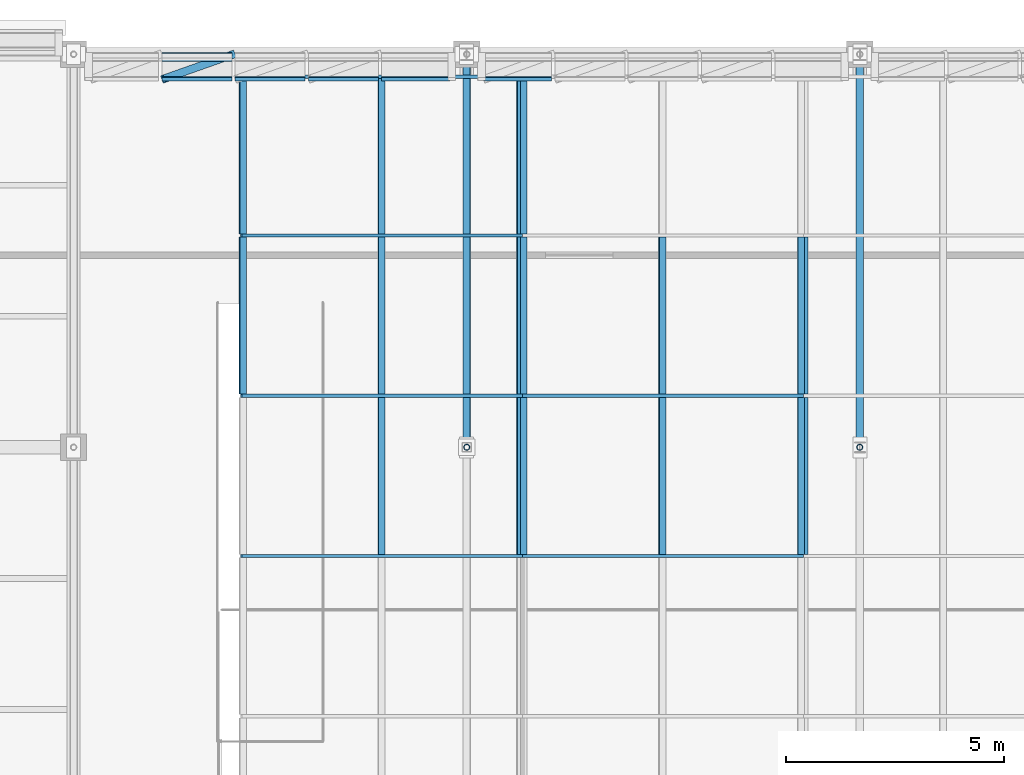
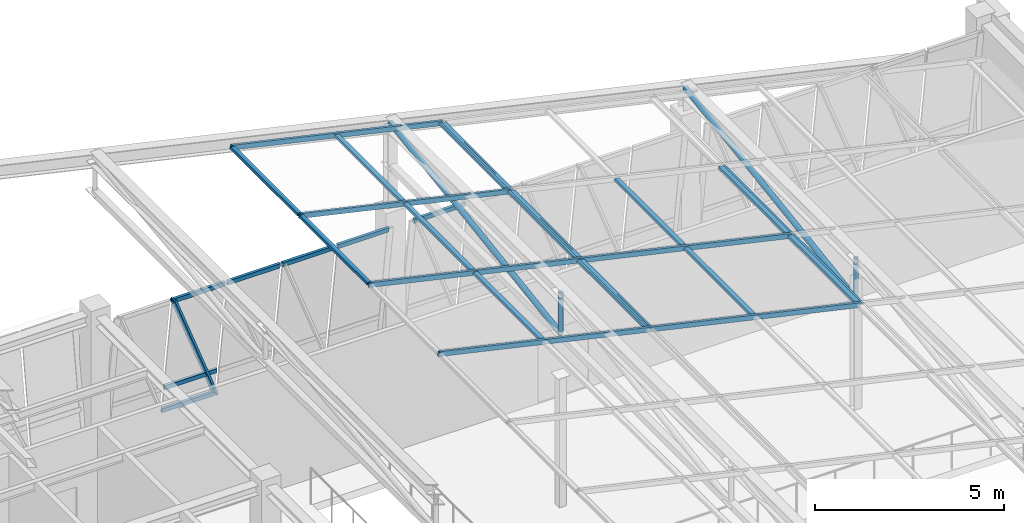
# One storey, part 77 of 130: 35 members, 5 elements without a shape of their own.
"""IFC4 building model written with IfcOpenShell, lengths in metres."""

from ifc_helpers import new_model, si_unit, direction, frame, origin, origin_2d, place, context, subcontext, project, spatial, hollow_rectangle, hollow_circle, extrude, material, material_profile, profile_set, type_object, element, aggregate, save


model = new_model("IFC4")

# Units and contexts
model_context = context("Model", 3, precision=1e-05, world=origin(), true_north=direction((0.0, 1.0)))
body_context = subcontext(model_context, "Body", "Model", "MODEL_VIEW")
ifc_project = project(units=[si_unit("LENGTHUNIT", "METRE"), si_unit("AREAUNIT", "SQUARE_METRE"), si_unit("VOLUMEUNIT", "CUBIC_METRE"), si_unit("PLANEANGLEUNIT", "RADIAN"), si_unit("MASSUNIT", "GRAM", prefix="KILO")], contexts=[model_context])

# Site, building, storey
site_placement = place(None, origin())
site = spatial("IfcSite", under=ifc_project, at=site_placement, CompositionType="ELEMENT")
building_placement = place(site_placement, origin())
building = spatial("IfcBuilding", under=site, at=building_placement, Name="Lykobir Media Centre", CompositionType="ELEMENT")
storey_placement = place(building_placement, frame((0.0, 0.0, 19.199951171875)))
storey = spatial("IfcBuildingStorey", under=building, at=storey_placement, Name="L04", CompositionType="ELEMENT", Elevation=19.199951171875)

# Members
ifc_material_1 = material(Name="Steel S355", Category="steel")
ifc_material_profile_1 = material_profile(ifc_material_1, hollow_circle(Radius=0.06982421875, WallThickness=0.008056640625, at=origin_2d()), Name="CHS 139.7x8.0")
ifc_profile_set_1 = profile_set([ifc_material_profile_1], Name="Steel S355")
member_type_1 = type_object("IfcMemberType", Name="BR-CHS140", PredefinedType="BRACE", material=ifc_profile_set_1)
for number, where, z_axis, x_axis, name in (
    (1, (54.0, 99.0, 6.860107421875), (0.0, 0.0, -1.0), (1.0, 0.0, 0.0), "Diagonal brace MEM2-L04-0540-0990-0261-0540-0990-0467"),
    (2, (63.0, 99.0, 4.820068359375), (0.0, 0.0, -1.0), (1.0, 0.0, 0.0), "Diagonal brace MEM2-L04-0630-0990-0240-0630-0990-0480"),
):
    element("IfcMember", number, at=place(storey_placement, frame(where, z_axis=z_axis, x_axis=x_axis)), inside=storey, type_object=member_type_1, Name=name, PredefinedType="BRACE", context=body_context, shape_type="SweptSolid", body=[
        extrude(hollow_circle(Radius=0.06982421875, WallThickness=0.008056640625, at=origin_2d()), origin(), (0.0, 0.0, 1.0), 1.35009765625),
    ])
ifc_material_profile_2 = material_profile(ifc_material_1, hollow_circle(Radius=0.084228515625, WallThickness=0.010009765625, at=origin_2d()), Name="CHS 168.3x10.0")
ifc_profile_set_2 = profile_set([ifc_material_profile_2], Name="Steel S355")
member_type_2 = type_object("IfcMemberType", Name="BR-CHS168", PredefinedType="BRACE", material=ifc_profile_set_2)
for number, where, z_axis, x_axis, name in (
    (3, (54.0, 99.0, 5.510009765625), (0.0, 0.988934778637, 0.148350947425), (-1.0, 0.0, 0.0), "Diagonal brace MEM2-L04-0540-0990-0247-0540-1080-0468"),
    (4, (63.0, 99.0, 3.469970703125), (0.0, 0.988934778637, 0.148350947425), (-1.0, 0.0, 0.0), "Diagonal brace MEM2-L04-0630-0990-0227-0630-1080-0481"),
):
    element("IfcMember", number, at=place(storey_placement, frame(where, z_axis=z_axis, x_axis=x_axis)), inside=storey, type_object=member_type_2, Name=name, PredefinedType="BRACE", context=body_context, shape_type="SweptSolid", body=[
        extrude(hollow_circle(Radius=0.084228515625, WallThickness=0.010009765625, at=origin_2d()), origin(), (0.0, 0.0, 1.0), 9.1005859375),
    ])

# Curtain wall, members
ifc_material_2 = material(Name="Anodized Aluminium AW-6060", Category="aluminium")
curtain_wall_type_1 = type_object("IfcCurtainWallType", Name="CW-V6-CR4", PredefinedType="NOTDEFINED", material=ifc_material_2)
curtain_wall_1_placement = place(storey_placement, origin())
curtain_wall_1 = element("IfcCurtainWall", 5, at=curtain_wall_1_placement, inside=storey, type_object=curtain_wall_type_1, Name="Curtain wall CW2-L04-0164", PredefinedType="NOTDEFINED")
ifc_material_profile_3 = material_profile(ifc_material_2, hollow_rectangle(XDim=0.074951171875, YDim=0.179931640625, WallThickness=0.00390625, at=origin_2d()), Name="ALU MULLION 75x180")
ifc_profile_set_3 = profile_set([ifc_material_profile_3], Name="Anodized Aluminium AW-6060")
member_type_3 = type_object("IfcMemberType", Name="CWM-180", PredefinedType="MULLION", material=ifc_profile_set_3)
member_1_placement = place(storey_placement, frame((48.660888671875, 108.0, 0.0), z_axis=(-0.374579600655, -0.132271466696, 0.917711491631), x_axis=(0.865344548286, 0.305570277716, 0.397247552703)))
member_1 = element("IfcMember", 6, at=member_1_placement, type_object=member_type_3, Name="CW2-L04-0164 mullion 3", PredefinedType="MULLION", context=body_context, shape_type="SweptSolid", body=[
    extrude(hollow_rectangle(XDim=0.074951171875, YDim=0.179931640625, WallThickness=0.00390625, at=origin_2d()), origin(), (0.0, 0.0, 1.0), 4.293212890625),
])
ifc_material_profile_4 = material_profile(ifc_material_2, hollow_rectangle(XDim=0.074951171875, YDim=0.14990234375, WallThickness=0.00341796875, at=origin_2d()), Name="ALU TRANSOM 75x150")
ifc_profile_set_4 = profile_set([ifc_material_profile_4], Name="Anodized Aluminium AW-6060")
member_type_4 = type_object("IfcMemberType", Name="CWT-150", PredefinedType="USERDEFINED", material=ifc_profile_set_4)
member_2_placement = place(storey_placement, frame((47.0205078125, 107.99462890625, 0.037109375), z_axis=(1.0, 0.0, 0.0), x_axis=(0.0, 0.989776230908, 0.142628933706)))
member_2 = element("IfcMember", 7, at=member_2_placement, type_object=member_type_4, Name="CW2-L04-0164 transom 2.1", ObjectType="TRANSOM", PredefinedType="USERDEFINED", context=body_context, shape_type="SweptSolid", body=[
    extrude(hollow_rectangle(XDim=0.074951171875, YDim=0.14990234375, WallThickness=0.00341796875, at=origin_2d()), origin(), (0.0, 0.0, 1.0), 1.60302734375),
])
member_3_placement = place(storey_placement, frame((47.0205078125, 107.87890625, 0.84130859375), z_axis=(1.0, 0.0, 0.0), x_axis=(0.0, 0.989776230908, 0.142628933706)))
member_3 = element("IfcMember", 8, at=member_3_placement, type_object=member_type_4, Name="CW2-L04-0164 transom 2.2", ObjectType="TRANSOM", PredefinedType="USERDEFINED", context=body_context, shape_type="SweptSolid", body=[
    extrude(hollow_rectangle(XDim=0.074951171875, YDim=0.14990234375, WallThickness=0.00341796875, at=origin_2d()), origin(), (0.0, 0.0, 1.0), 1.60302734375),
])
member_4_placement = place(storey_placement, frame((47.0205078125, 107.4375, 3.90283203125), z_axis=(1.0, 0.0, 0.0), x_axis=(0.0, 0.989776230908, 0.142628933706)))
member_4 = element("IfcMember", 9, at=member_4_placement, type_object=member_type_4, Name="CW2-L04-0164 transom 2.3", ObjectType="TRANSOM", PredefinedType="USERDEFINED", context=body_context, shape_type="SweptSolid", body=[
    extrude(hollow_rectangle(XDim=0.074951171875, YDim=0.14990234375, WallThickness=0.00341796875, at=origin_2d()), origin(), (0.0, 0.0, 1.0), 1.60302734375),
])
member_5_placement = place(storey_placement, frame((48.698486328125, 107.4375, 3.90283203125), z_axis=(1.0, 0.0, 0.0), x_axis=(0.0, 0.989776230908, 0.142628933706)))
member_5 = element("IfcMember", 10, at=member_5_placement, type_object=member_type_4, Name="CW2-L04-0164 transom 3.3", ObjectType="TRANSOM", PredefinedType="USERDEFINED", context=body_context, shape_type="SweptSolid", body=[
    extrude(hollow_rectangle(XDim=0.074951171875, YDim=0.14990234375, WallThickness=0.00341796875, at=origin_2d()), origin(), (0.0, 0.0, 1.0), 1.60302734375),
])
member_6_placement = place(storey_placement, frame((50.37646484375, 107.4375, 3.90283203125), z_axis=(1.0, 0.0, 0.0), x_axis=(0.0, 0.989776230908, 0.142628933706)))
member_6 = element("IfcMember", 11, at=member_6_placement, type_object=member_type_4, Name="CW2-L04-0164 transom 4.3", ObjectType="TRANSOM", PredefinedType="USERDEFINED", context=body_context, shape_type="SweptSolid", body=[
    extrude(hollow_rectangle(XDim=0.074951171875, YDim=0.14990234375, WallThickness=0.00341796875, at=origin_2d()), origin(), (0.0, 0.0, 1.0), 1.60302734375),
])
member_7_placement = place(storey_placement, frame((52.054443359375, 107.4375, 3.90283203125), z_axis=(1.0, 0.0, 0.0), x_axis=(0.0, 0.989776230908, 0.142628933706)))
member_7 = element("IfcMember", 12, at=member_7_placement, type_object=member_type_4, Name="CW2-L04-0164 transom 5.3", ObjectType="TRANSOM", PredefinedType="USERDEFINED", context=body_context, shape_type="SweptSolid", body=[
    extrude(hollow_rectangle(XDim=0.074951171875, YDim=0.14990234375, WallThickness=0.00341796875, at=origin_2d()), origin(), (0.0, 0.0, 1.0), 1.565673828125),
])
aggregate(curtain_wall_1, [member_1, member_2, member_3, member_4, member_5, member_6, member_7])

# Curtain wall, member
curtain_wall_2_placement = place(storey_placement, origin())
curtain_wall_2 = element("IfcCurtainWall", 13, at=curtain_wall_2_placement, inside=storey, type_object=curtain_wall_type_1, Name="Curtain wall CW2-L04-0165", PredefinedType="NOTDEFINED")
member_8_placement = place(storey_placement, frame((54.3798828125, 107.4375, 3.90283203125), z_axis=(1.0, 0.0, 0.0), x_axis=(0.0, 0.989776230908, 0.142628933706)))
member_8 = element("IfcMember", 14, at=member_8_placement, type_object=member_type_4, Name="CW2-L04-0165 transom 1.3", ObjectType="TRANSOM", PredefinedType="USERDEFINED", context=body_context, shape_type="SweptSolid", body=[
    extrude(hollow_rectangle(XDim=0.074951171875, YDim=0.14990234375, WallThickness=0.00341796875, at=origin_2d()), origin(), (0.0, 0.0, 1.0), 1.565673828125),
])
aggregate(curtain_wall_2, [member_8])

# Curtain wall, members
curtain_wall_type_2 = type_object("IfcCurtainWallType", Name="CW-V6-SKY", PredefinedType="NOTDEFINED", material=ifc_material_2)
curtain_wall_3_placement = place(storey_placement, origin())
curtain_wall_3 = element("IfcCurtainWall", 15, at=curtain_wall_3_placement, inside=storey, type_object=curtain_wall_type_2, Name="Curtain wall CW-V6-SKY03", PredefinedType="NOTDEFINED")
member_9_placement = place(storey_placement, frame((61.728515625, 103.8125, 5.2646484375), z_axis=(0.0, -1.0, 0.0), x_axis=(0.221054901821, 0.0, 0.975261365164)))
member_9 = element("IfcMember", 16, at=member_9_placement, type_object=member_type_4, Name="CW-V6-SKY03 transom 2.3", ObjectType="TRANSOM", PredefinedType="USERDEFINED", context=body_context, shape_type="SweptSolid", body=[
    extrude(hollow_rectangle(XDim=0.074951171875, YDim=0.14990234375, WallThickness=0.00341796875, at=origin_2d()), origin(), (0.0, 0.0, 1.0), 3.594970703125),
])
member_10_placement = place(storey_placement, frame((61.728515625, 100.142578125, 5.2646484375), z_axis=(0.0, -1.0, 0.0), x_axis=(0.221054901821, 0.0, 0.975261365164)))
member_10 = element("IfcMember", 17, at=member_10_placement, type_object=member_type_4, Name="CW-V6-SKY03 transom 3.3", ObjectType="TRANSOM", PredefinedType="USERDEFINED", context=body_context, shape_type="SweptSolid", body=[
    extrude(hollow_rectangle(XDim=0.074951171875, YDim=0.14990234375, WallThickness=0.00341796875, at=origin_2d()), origin(), (0.0, 0.0, 1.0), 3.594970703125),
])
aggregate(curtain_wall_3, [member_9, member_10])

curtain_wall_4_placement = place(storey_placement, origin())
curtain_wall_4 = element("IfcCurtainWall", 18, at=curtain_wall_4_placement, inside=storey, type_object=curtain_wall_type_2, Name="Curtain wall CW-V6-SKY04", PredefinedType="NOTDEFINED")
member_11_placement = place(storey_placement, frame((61.69189453125, 100.179931640625, 5.27294921875), z_axis=(-0.975255318588, 0.0, 0.221081576721), x_axis=(0.0, -1.0, 0.0)))
member_11 = element("IfcMember", 19, at=member_11_placement, type_object=member_type_4, Name="CW-V6-SKY04 rafter transom 3", ObjectType="TRANSOM", PredefinedType="USERDEFINED", context=body_context, shape_type="SweptSolid", body=[
    extrude(hollow_rectangle(XDim=0.074951171875, YDim=0.14990234375, WallThickness=0.00341796875, at=origin_2d()), origin(), (0.0, 0.0, 1.0), 6.591552734375),
])
member_12_placement = place(storey_placement, frame((61.69189453125, 96.510009765625, 5.27294921875), z_axis=(-0.975255318588, 0.0, 0.221081576721), x_axis=(0.0, -1.0, 0.0)))
member_12 = element("IfcMember", 20, at=member_12_placement, type_object=member_type_4, Name="CW-V6-SKY04 rafter transom 4", ObjectType="TRANSOM", PredefinedType="USERDEFINED", context=body_context, shape_type="SweptSolid", body=[
    extrude(hollow_rectangle(XDim=0.074951171875, YDim=0.14990234375, WallThickness=0.00341796875, at=origin_2d()), origin(), (0.0, 0.0, 1.0), 6.591552734375),
])
member_13_placement = place(storey_placement, frame((55.300048828125, 107.445068359375, 6.721923828125), z_axis=(0.0, -1.0, 0.0), x_axis=(0.221071923309, 0.0, 0.975257506879)))
member_13 = element("IfcMember", 21, at=member_13_placement, type_object=member_type_4, Name="CW-V6-SKY04 transom 1.3", ObjectType="TRANSOM", PredefinedType="USERDEFINED", context=body_context, shape_type="SweptSolid", body=[
    extrude(hollow_rectangle(XDim=0.074951171875, YDim=0.14990234375, WallThickness=0.00341796875, at=origin_2d()), origin(), (0.0, 0.0, 1.0), 3.5576171875),
])
member_14_placement = place(storey_placement, frame((61.655517578125, 103.8125, 5.28125), z_axis=(0.0, -1.0, 0.0), x_axis=(0.221071923309, 0.0, 0.975257506879)))
member_14 = element("IfcMember", 22, at=member_14_placement, type_object=member_type_4, Name="CW-V6-SKY04 transom 2.1", ObjectType="TRANSOM", PredefinedType="USERDEFINED", context=body_context, shape_type="SweptSolid", body=[
    extrude(hollow_rectangle(XDim=0.074951171875, YDim=0.14990234375, WallThickness=0.00341796875, at=origin_2d()), origin(), (0.0, 0.0, 1.0), 3.594970703125),
])
member_15_placement = place(storey_placement, frame((58.477783203125, 103.8125, 6.00146484375), z_axis=(0.0, -1.0, 0.0), x_axis=(0.221071923309, 0.0, 0.975257506879)))
member_15 = element("IfcMember", 23, at=member_15_placement, type_object=member_type_4, Name="CW-V6-SKY04 transom 2.2", ObjectType="TRANSOM", PredefinedType="USERDEFINED", context=body_context, shape_type="SweptSolid", body=[
    extrude(hollow_rectangle(XDim=0.074951171875, YDim=0.14990234375, WallThickness=0.00341796875, at=origin_2d()), origin(), (0.0, 0.0, 1.0), 3.594970703125),
])
member_16_placement = place(storey_placement, frame((55.300048828125, 103.8125, 6.721923828125), z_axis=(0.0, -1.0, 0.0), x_axis=(0.221071923309, 0.0, 0.975257506879)))
member_16 = element("IfcMember", 24, at=member_16_placement, type_object=member_type_4, Name="CW-V6-SKY04 transom 2.3", ObjectType="TRANSOM", PredefinedType="USERDEFINED", context=body_context, shape_type="SweptSolid", body=[
    extrude(hollow_rectangle(XDim=0.074951171875, YDim=0.14990234375, WallThickness=0.00341796875, at=origin_2d()), origin(), (0.0, 0.0, 1.0), 3.594970703125),
])
member_17_placement = place(storey_placement, frame((61.655517578125, 100.142578125, 5.28125), z_axis=(0.0, -1.0, 0.0), x_axis=(0.221071923309, 0.0, 0.975257506879)))
member_17 = element("IfcMember", 25, at=member_17_placement, type_object=member_type_4, Name="CW-V6-SKY04 transom 3.1", ObjectType="TRANSOM", PredefinedType="USERDEFINED", context=body_context, shape_type="SweptSolid", body=[
    extrude(hollow_rectangle(XDim=0.074951171875, YDim=0.14990234375, WallThickness=0.00341796875, at=origin_2d()), origin(), (0.0, 0.0, 1.0), 3.594970703125),
])
member_18_placement = place(storey_placement, frame((58.477783203125, 100.142578125, 6.00146484375), z_axis=(0.0, -1.0, 0.0), x_axis=(0.221071923309, 0.0, 0.975257506879)))
member_18 = element("IfcMember", 26, at=member_18_placement, type_object=member_type_4, Name="CW-V6-SKY04 transom 3.2", ObjectType="TRANSOM", PredefinedType="USERDEFINED", context=body_context, shape_type="SweptSolid", body=[
    extrude(hollow_rectangle(XDim=0.074951171875, YDim=0.14990234375, WallThickness=0.00341796875, at=origin_2d()), origin(), (0.0, 0.0, 1.0), 3.594970703125),
])
member_19_placement = place(storey_placement, frame((55.300048828125, 100.142578125, 6.721923828125), z_axis=(0.0, -1.0, 0.0), x_axis=(0.221071923309, 0.0, 0.975257506879)))
member_19 = element("IfcMember", 27, at=member_19_placement, type_object=member_type_4, Name="CW-V6-SKY04 transom 3.3", ObjectType="TRANSOM", PredefinedType="USERDEFINED", context=body_context, shape_type="SweptSolid", body=[
    extrude(hollow_rectangle(XDim=0.074951171875, YDim=0.14990234375, WallThickness=0.00341796875, at=origin_2d()), origin(), (0.0, 0.0, 1.0), 3.594970703125),
])
aggregate(curtain_wall_4, [member_11, member_12, member_13, member_14, member_15, member_16, member_17, member_18, member_19])

curtain_wall_5_placement = place(storey_placement, origin())
curtain_wall_5 = element("IfcCurtainWall", 28, at=curtain_wall_5_placement, inside=storey, type_object=curtain_wall_type_2, Name="Curtain wall CW-V6-SKY05", PredefinedType="NOTDEFINED")
member_20_placement = place(storey_placement, frame((55.263427734375, 107.482421875, 6.730224609375), z_axis=(-0.97526330388, 0.0, 0.221046348318), x_axis=(0.0, -1.0, 0.0)))
member_20 = element("IfcMember", 29, at=member_20_placement, type_object=member_type_4, Name="CW-V6-SKY05 rafter transom 1", ObjectType="TRANSOM", PredefinedType="USERDEFINED", context=body_context, shape_type="SweptSolid", body=[
    extrude(hollow_rectangle(XDim=0.074951171875, YDim=0.14990234375, WallThickness=0.00341796875, at=origin_2d()), origin(), (0.0, 0.0, 1.0), 6.591552734375),
])
member_21_placement = place(storey_placement, frame((55.263427734375, 103.85009765625, 6.730224609375), z_axis=(-0.97526330388, 0.0, 0.221046348318), x_axis=(0.0, -1.0, 0.0)))
member_21 = element("IfcMember", 30, at=member_21_placement, type_object=member_type_4, Name="CW-V6-SKY05 rafter transom 2", ObjectType="TRANSOM", PredefinedType="USERDEFINED", context=body_context, shape_type="SweptSolid", body=[
    extrude(hollow_rectangle(XDim=0.074951171875, YDim=0.14990234375, WallThickness=0.00341796875, at=origin_2d()), origin(), (0.0, 0.0, 1.0), 6.591552734375),
])
member_22_placement = place(storey_placement, frame((55.263427734375, 100.179931640625, 6.730224609375), z_axis=(-0.97526330388, 0.0, 0.221046348318), x_axis=(0.0, -1.0, 0.0)))
member_22 = element("IfcMember", 31, at=member_22_placement, type_object=member_type_4, Name="CW-V6-SKY05 rafter transom 3", ObjectType="TRANSOM", PredefinedType="USERDEFINED", context=body_context, shape_type="SweptSolid", body=[
    extrude(hollow_rectangle(XDim=0.074951171875, YDim=0.14990234375, WallThickness=0.00341796875, at=origin_2d()), origin(), (0.0, 0.0, 1.0), 6.591552734375),
])
member_23_placement = place(storey_placement, frame((55.263427734375, 96.510009765625, 6.730224609375), z_axis=(-0.97526330388, 0.0, 0.221046348318), x_axis=(0.0, -1.0, 0.0)))
member_23 = element("IfcMember", 32, at=member_23_placement, type_object=member_type_4, Name="CW-V6-SKY05 rafter transom 4", ObjectType="TRANSOM", PredefinedType="USERDEFINED", context=body_context, shape_type="SweptSolid", body=[
    extrude(hollow_rectangle(XDim=0.074951171875, YDim=0.14990234375, WallThickness=0.00341796875, at=origin_2d()), origin(), (0.0, 0.0, 1.0), 6.591552734375),
])
member_24_placement = place(storey_placement, frame((55.226806640625, 107.445068359375, 6.738525390625), z_axis=(0.0, -1.0, 0.0), x_axis=(0.221054901821, 0.0, 0.975261365164)))
member_24 = element("IfcMember", 33, at=member_24_placement, type_object=member_type_4, Name="CW-V6-SKY05 transom 1.1", ObjectType="TRANSOM", PredefinedType="USERDEFINED", context=body_context, shape_type="SweptSolid", body=[
    extrude(hollow_rectangle(XDim=0.074951171875, YDim=0.14990234375, WallThickness=0.00341796875, at=origin_2d()), origin(), (0.0, 0.0, 1.0), 3.5576171875),
])
member_25_placement = place(storey_placement, frame((52.049072265625, 107.445068359375, 7.458740234375), z_axis=(0.0, -1.0, 0.0), x_axis=(0.221054901821, 0.0, 0.975261365164)))
member_25 = element("IfcMember", 34, at=member_25_placement, type_object=member_type_4, Name="CW-V6-SKY05 transom 1.2", ObjectType="TRANSOM", PredefinedType="USERDEFINED", context=body_context, shape_type="SweptSolid", body=[
    extrude(hollow_rectangle(XDim=0.074951171875, YDim=0.14990234375, WallThickness=0.00341796875, at=origin_2d()), origin(), (0.0, 0.0, 1.0), 3.5576171875),
])
member_26_placement = place(storey_placement, frame((48.871337890625, 107.445068359375, 8.178955078125), z_axis=(0.0, -1.0, 0.0), x_axis=(0.221054901821, 0.0, 0.975261365164)))
member_26 = element("IfcMember", 35, at=member_26_placement, type_object=member_type_4, Name="CW-V6-SKY05 transom 1.3", ObjectType="TRANSOM", PredefinedType="USERDEFINED", context=body_context, shape_type="SweptSolid", body=[
    extrude(hollow_rectangle(XDim=0.074951171875, YDim=0.14990234375, WallThickness=0.00341796875, at=origin_2d()), origin(), (0.0, 0.0, 1.0), 3.5576171875),
])
member_27_placement = place(storey_placement, frame((55.226806640625, 103.8125, 6.738525390625), z_axis=(0.0, -1.0, 0.0), x_axis=(0.221054901821, 0.0, 0.975261365164)))
member_27 = element("IfcMember", 36, at=member_27_placement, type_object=member_type_4, Name="CW-V6-SKY05 transom 2.1", ObjectType="TRANSOM", PredefinedType="USERDEFINED", context=body_context, shape_type="SweptSolid", body=[
    extrude(hollow_rectangle(XDim=0.074951171875, YDim=0.14990234375, WallThickness=0.00341796875, at=origin_2d()), origin(), (0.0, 0.0, 1.0), 3.594970703125),
])
member_28_placement = place(storey_placement, frame((52.049072265625, 103.8125, 7.458740234375), z_axis=(0.0, -1.0, 0.0), x_axis=(0.221054901821, 0.0, 0.975261365164)))
member_28 = element("IfcMember", 37, at=member_28_placement, type_object=member_type_4, Name="CW-V6-SKY05 transom 2.2", ObjectType="TRANSOM", PredefinedType="USERDEFINED", context=body_context, shape_type="SweptSolid", body=[
    extrude(hollow_rectangle(XDim=0.074951171875, YDim=0.14990234375, WallThickness=0.00341796875, at=origin_2d()), origin(), (0.0, 0.0, 1.0), 3.594970703125),
])
member_29_placement = place(storey_placement, frame((48.871337890625, 103.8125, 8.178955078125), z_axis=(0.0, -1.0, 0.0), x_axis=(0.221054901821, 0.0, 0.975261365164)))
member_29 = element("IfcMember", 38, at=member_29_placement, type_object=member_type_4, Name="CW-V6-SKY05 transom 2.3", ObjectType="TRANSOM", PredefinedType="USERDEFINED", context=body_context, shape_type="SweptSolid", body=[
    extrude(hollow_rectangle(XDim=0.074951171875, YDim=0.14990234375, WallThickness=0.00341796875, at=origin_2d()), origin(), (0.0, 0.0, 1.0), 3.594970703125),
])
member_30_placement = place(storey_placement, frame((55.226806640625, 100.142578125, 6.738525390625), z_axis=(0.0, -1.0, 0.0), x_axis=(0.221054901821, 0.0, 0.975261365164)))
member_30 = element("IfcMember", 39, at=member_30_placement, type_object=member_type_4, Name="CW-V6-SKY05 transom 3.1", ObjectType="TRANSOM", PredefinedType="USERDEFINED", context=body_context, shape_type="SweptSolid", body=[
    extrude(hollow_rectangle(XDim=0.074951171875, YDim=0.14990234375, WallThickness=0.00341796875, at=origin_2d()), origin(), (0.0, 0.0, 1.0), 3.594970703125),
])
member_31_placement = place(storey_placement, frame((52.049072265625, 100.142578125, 7.458740234375), z_axis=(0.0, -1.0, 0.0), x_axis=(0.221054901821, 0.0, 0.975261365164)))
member_31 = element("IfcMember", 40, at=member_31_placement, type_object=member_type_4, Name="CW-V6-SKY05 transom 3.2", ObjectType="TRANSOM", PredefinedType="USERDEFINED", context=body_context, shape_type="SweptSolid", body=[
    extrude(hollow_rectangle(XDim=0.074951171875, YDim=0.14990234375, WallThickness=0.00341796875, at=origin_2d()), origin(), (0.0, 0.0, 1.0), 3.594970703125),
])
aggregate(curtain_wall_5, [member_20, member_21, member_22, member_23, member_24, member_25, member_26, member_27, member_28, member_29, member_30, member_31])

save(model, "model.ifc")
